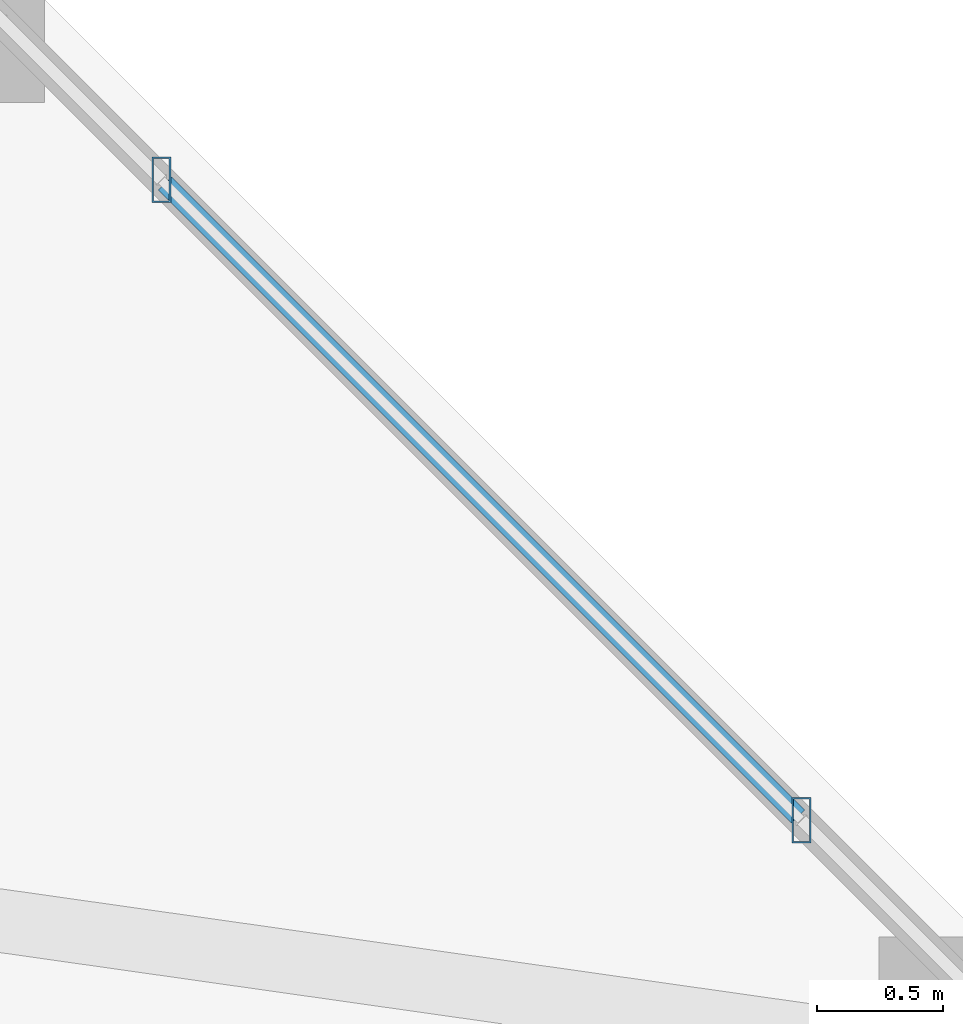
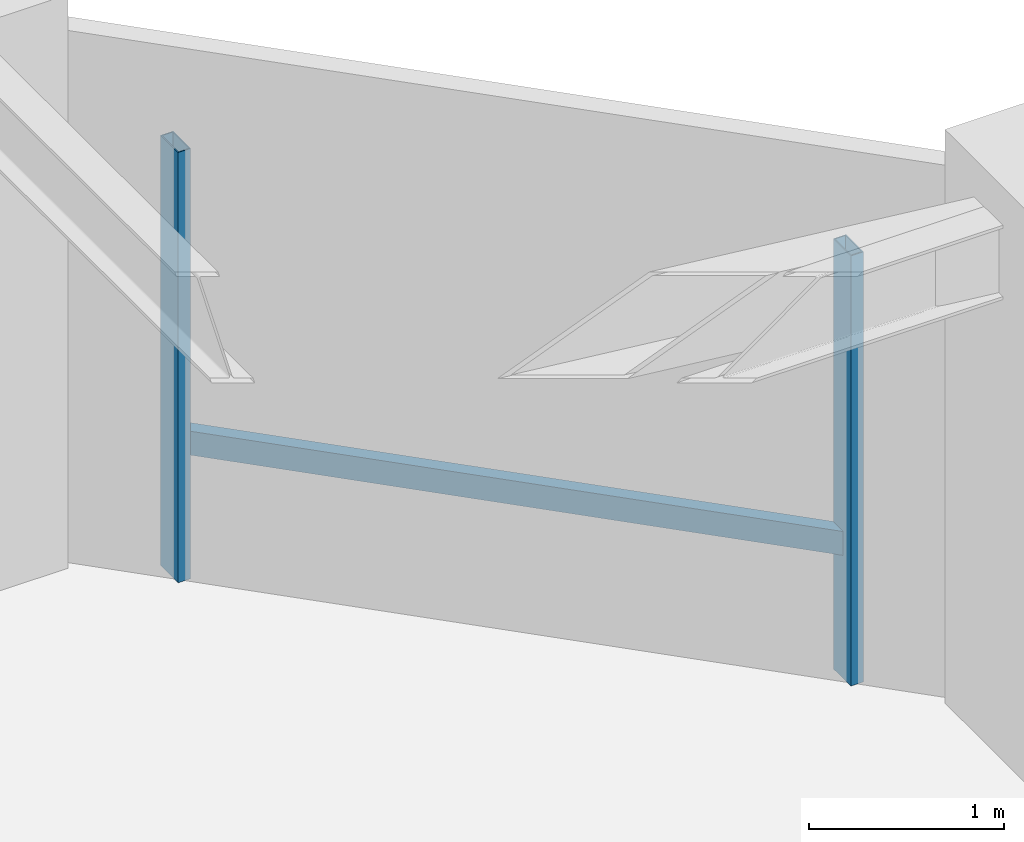
# One storey, part 9 of 32: 3 members, 1 element without a shape of its own.
"""IFC4 building model written with IfcOpenShell, lengths in metres."""

from ifc_helpers import new_model, si_unit, direction, frame, origin, origin_2d, place, context, subcontext, project, spatial, hollow_rectangle, extrude, material, material_profile, profile_set, type_object, element, aggregate, save


model = new_model("IFC4")

# Units and contexts
model_context = context("Model", 3, precision=1e-05, world=origin(), true_north=direction((0.0, 1.0)))
body_context = subcontext(model_context, "Body", "Model", "MODEL_VIEW")
ifc_project = project(units=[si_unit("LENGTHUNIT", "METRE"), si_unit("AREAUNIT", "SQUARE_METRE"), si_unit("VOLUMEUNIT", "CUBIC_METRE"), si_unit("PLANEANGLEUNIT", "RADIAN"), si_unit("MASSUNIT", "GRAM", prefix="KILO")], contexts=[model_context])

# Site, building, storey
site_placement = place(None, origin())
site = spatial("IfcSite", under=ifc_project, at=site_placement, CompositionType="ELEMENT")
building_placement = place(site_placement, origin())
building = spatial("IfcBuilding", under=site, at=building_placement, Name="Thornwick Lancets Civic Towers", CompositionType="ELEMENT")
storey_placement = place(building_placement, frame((0.0, 0.0, 243.89990234375)))
storey = spatial("IfcBuildingStorey", under=building, at=storey_placement, Name="L65", CompositionType="ELEMENT", Elevation=243.89990234375)

# Curtain wall, members
ifc_material_1 = material(Name="High-zone chamfered-corner unitised glass curtain wall", Category="glass")
curtain_wall_type = type_object("IfcCurtainWallType", Name="CW_SYS_05", PredefinedType="NOTDEFINED", material=ifc_material_1)
curtain_wall_placement = place(storey_placement, origin())
curtain_wall = element("IfcCurtainWall", 1, at=curtain_wall_placement, inside=storey, type_object=curtain_wall_type, Name="L65 Curtain Wall CW-L65-A-E3", PredefinedType="NOTDEFINED")
ifc_material_2 = material(Name="Thermally broken bronze aluminium S355", Category="steel")
ifc_material_profile_1 = material_profile(ifc_material_2, hollow_rectangle(XDim=0.074951171875, YDim=0.179931640625, WallThickness=0.006103515625, at=origin_2d()), Name="RHS 180x75x6")
ifc_profile_set_1 = profile_set([ifc_material_profile_1], Name="Thermally broken bronze aluminium S355")
member_type_1 = type_object("IfcMemberType", Name="CW_MUL_180", PredefinedType="MULLION", material=ifc_profile_set_1)
member_1_placement = place(storey_placement, frame((41.993896484375, 40.9619140625, 0.0), z_axis=(0.0, 0.0, 1.0), x_axis=(1.0, 0.0, 0.0)))
member_1 = element("IfcMember", 2, at=member_1_placement, type_object=member_type_1, Name="CW-L65-A-E3 Mullion 0", PredefinedType="MULLION", context=body_context, shape_type="SweptSolid", body=[
    extrude(hollow_rectangle(XDim=0.074951171875, YDim=0.179931640625, WallThickness=0.006103515625, at=origin_2d()), origin(), (0.0, 0.0, 1.0), 2.7001953125),
])
member_2_placement = place(storey_placement, frame((39.4619140625, 43.493896484375, 0.0), z_axis=(0.0, 0.0, 1.0), x_axis=(1.0, 0.0, 0.0)))
member_2 = element("IfcMember", 3, at=member_2_placement, type_object=member_type_1, Name="CW-L65-A-E3 Mullion 1", PredefinedType="MULLION", context=body_context, shape_type="SweptSolid", body=[
    extrude(hollow_rectangle(XDim=0.074951171875, YDim=0.179931640625, WallThickness=0.006103515625, at=origin_2d()), origin(), (0.0, 0.0, 1.0), 2.7001953125),
])
ifc_material_profile_2 = material_profile(ifc_material_2, hollow_rectangle(XDim=0.074951171875, YDim=0.14990234375, WallThickness=0.0048828125, at=origin_2d()), Name="RHS 150x75x5")
ifc_profile_set_2 = profile_set([ifc_material_profile_2], Name="Thermally broken bronze aluminium S355")
member_type_2 = type_object("IfcMemberType", Name="CW_TRN_150", PredefinedType="USERDEFINED", material=ifc_profile_set_2)
member_3_placement = place(storey_placement, frame((41.97998046875, 40.975830078125, 0.85009765625), z_axis=(-0.707106781187, 0.707106781187, 0.0), x_axis=(-0.707106781187, -0.707106781187, 0.0)))
member_3 = element("IfcMember", 4, at=member_3_placement, type_object=member_type_2, Name="CW-L65-A-E3 Transom 0", ObjectType="TRANSOM", PredefinedType="USERDEFINED", context=body_context, shape_type="SweptSolid", body=[
    extrude(hollow_rectangle(XDim=0.074951171875, YDim=0.14990234375, WallThickness=0.0048828125, at=origin_2d()), origin(), (0.0, 0.0, 1.0), 3.54150390625),
])
aggregate(curtain_wall, [member_1, member_2, member_3])

save(model, "model.ifc")
